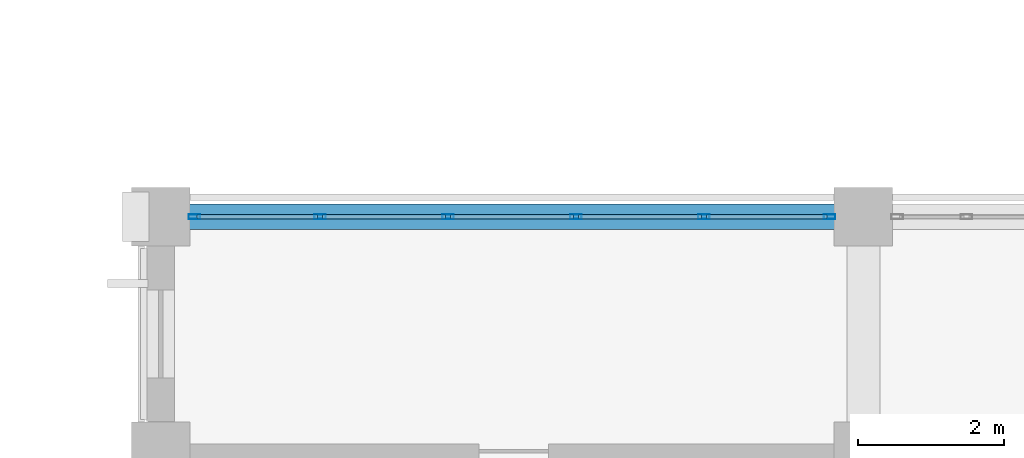
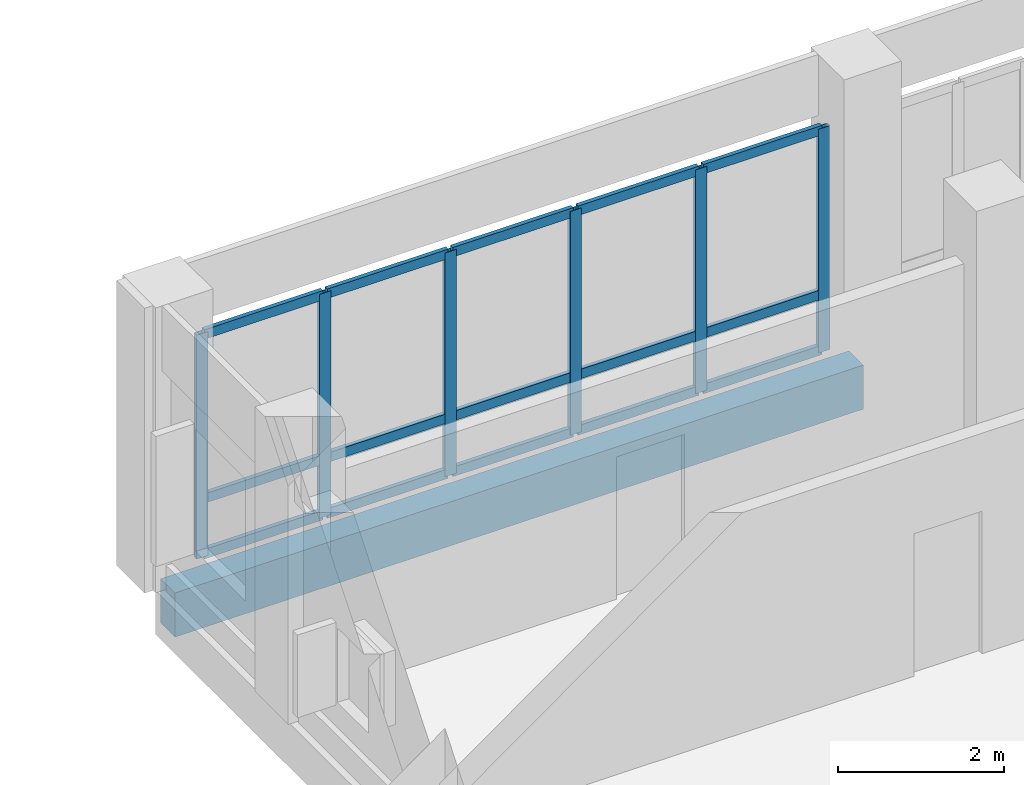
# One storey, part 87 of 170: 21 members, 1 beam, 1 element without a shape of its own.
"""IFC4 building model written with IfcOpenShell, lengths in metres."""

from ifc_helpers import new_model, si_unit, direction, frame, origin, origin_2d, place, context, subcontext, project, spatial, rectangle, hollow_rectangle, extrude, material, material_profile, profile_set, type_object, element, aggregate, save


model = new_model("IFC4")

# Units and contexts
model_context = context("Model", 3, precision=1e-05, world=origin(), true_north=direction((0.0, 1.0)))
body_context = subcontext(model_context, "Body", "Model", "MODEL_VIEW")
ifc_project = project(units=[si_unit("LENGTHUNIT", "METRE"), si_unit("AREAUNIT", "SQUARE_METRE"), si_unit("VOLUMEUNIT", "CUBIC_METRE"), si_unit("PLANEANGLEUNIT", "RADIAN"), si_unit("MASSUNIT", "GRAM", prefix="KILO")], contexts=[model_context])

# Site, building, storey
site_placement = place(None, origin())
site = spatial("IfcSite", under=ifc_project, at=site_placement, CompositionType="ELEMENT")
building_placement = place(site_placement, origin())
building = spatial("IfcBuilding", under=site, at=building_placement, Name="Vondelvale Polytechnic", CompositionType="ELEMENT")
storey_placement = place(building_placement, frame((0.0, 0.0, 5.39990234375)))
storey = spatial("IfcBuildingStorey", under=building, at=storey_placement, Name="L01", CompositionType="ELEMENT", Elevation=5.39990234375)

# Curtain wall, members
ifc_material_1 = material(Name="Anodised extruded aluminium 6063-T6", Category="aluminium")
curtain_wall_type = type_object("IfcCurtainWallType", Name="CW-STUDIO-NORTH", PredefinedType="NOTDEFINED", material=ifc_material_1)
curtain_wall_placement = place(storey_placement, origin())
curtain_wall = element("IfcCurtainWall", 1, at=curtain_wall_placement, inside=storey, type_object=curtain_wall_type, Name="L01 architectural curtain wall CW-01-058", PredefinedType="NOTDEFINED")
ifc_material_profile_1 = material_profile(ifc_material_1, hollow_rectangle(XDim=0.06494140625, YDim=0.159912109375, WallThickness=0.0048828125, at=origin_2d()), Name="CW-MUL-160x65")
ifc_profile_set_1 = profile_set([ifc_material_profile_1], Name="Anodised extruded aluminium 6063-T6")
member_type_1 = type_object("IfcMemberType", Name="CW-MUL-65x160", PredefinedType="MULLION", material=ifc_profile_set_1)
member_1_placement = place(storey_placement, frame((134.862548828125, 30.60009765625, 0.0), z_axis=(0.0, 0.0, 1.0), x_axis=(0.0, 1.0, 0.0)))
member_1 = element("IfcMember", 2, at=member_1_placement, type_object=member_type_1, Name="CW-01-058 mullion 1", PredefinedType="MULLION", context=body_context, shape_type="SweptSolid", body=[
    extrude(hollow_rectangle(XDim=0.06494140625, YDim=0.159912109375, WallThickness=0.0048828125, at=origin_2d()), origin(), (0.0, 0.0, 1.0), 3.300048828125),
])
member_2_placement = place(storey_placement, frame((136.577880859375, 30.60009765625, 0.0), z_axis=(0.0, 0.0, 1.0), x_axis=(0.0, 1.0, 0.0)))
member_2 = element("IfcMember", 3, at=member_2_placement, type_object=member_type_1, Name="CW-01-058 mullion 2", PredefinedType="MULLION", context=body_context, shape_type="SweptSolid", body=[
    extrude(hollow_rectangle(XDim=0.06494140625, YDim=0.159912109375, WallThickness=0.0048828125, at=origin_2d()), origin(), (0.0, 0.0, 1.0), 3.300048828125),
])
member_3_placement = place(storey_placement, frame((138.325927734375, 30.60009765625, 0.0), z_axis=(0.0, 0.0, 1.0), x_axis=(0.0, 1.0, 0.0)))
member_3 = element("IfcMember", 4, at=member_3_placement, type_object=member_type_1, Name="CW-01-058 mullion 3", PredefinedType="MULLION", context=body_context, shape_type="SweptSolid", body=[
    extrude(hollow_rectangle(XDim=0.06494140625, YDim=0.159912109375, WallThickness=0.0048828125, at=origin_2d()), origin(), (0.0, 0.0, 1.0), 3.300048828125),
])
member_4_placement = place(storey_placement, frame((140.073974609375, 30.60009765625, 0.0), z_axis=(0.0, 0.0, 1.0), x_axis=(0.0, 1.0, 0.0)))
member_4 = element("IfcMember", 5, at=member_4_placement, type_object=member_type_1, Name="CW-01-058 mullion 4", PredefinedType="MULLION", context=body_context, shape_type="SweptSolid", body=[
    extrude(hollow_rectangle(XDim=0.06494140625, YDim=0.159912109375, WallThickness=0.0048828125, at=origin_2d()), origin(), (0.0, 0.0, 1.0), 3.300048828125),
])
member_5_placement = place(storey_placement, frame((141.822021484375, 30.60009765625, 0.0), z_axis=(0.0, 0.0, 1.0), x_axis=(0.0, 1.0, 0.0)))
member_5 = element("IfcMember", 6, at=member_5_placement, type_object=member_type_1, Name="CW-01-058 mullion 5", PredefinedType="MULLION", context=body_context, shape_type="SweptSolid", body=[
    extrude(hollow_rectangle(XDim=0.06494140625, YDim=0.159912109375, WallThickness=0.0048828125, at=origin_2d()), origin(), (0.0, 0.0, 1.0), 3.300048828125),
])
member_6_placement = place(storey_placement, frame((143.53759765625, 30.60009765625, 0.0), z_axis=(0.0, 0.0, 1.0), x_axis=(0.0, 1.0, 0.0)))
member_6 = element("IfcMember", 7, at=member_6_placement, type_object=member_type_1, Name="CW-01-058 mullion 6", PredefinedType="MULLION", context=body_context, shape_type="SweptSolid", body=[
    extrude(hollow_rectangle(XDim=0.06494140625, YDim=0.159912109375, WallThickness=0.0048828125, at=origin_2d()), origin(), (0.0, 0.0, 1.0), 3.300048828125),
])
ifc_material_profile_2 = material_profile(ifc_material_1, hollow_rectangle(XDim=0.06005859375, YDim=0.139892578125, WallThickness=0.00341796875, at=origin_2d()), Name="CW-TRN-140x60")
ifc_profile_set_2 = profile_set([ifc_material_profile_2], Name="Anodised extruded aluminium 6063-T6")
member_type_2 = type_object("IfcMemberType", Name="CW-TRN-60x140", PredefinedType="USERDEFINED", material=ifc_profile_set_2)
member_7_placement = place(storey_placement, frame((134.89501953125, 30.60009765625, 0.030029296875), z_axis=(1.0, 0.0, 0.0), x_axis=(0.0, 1.0, 0.0)))
member_7 = element("IfcMember", 8, at=member_7_placement, type_object=member_type_2, Name="CW-01-058 transom 1.1", ObjectType="TRANSOM", PredefinedType="USERDEFINED", context=body_context, shape_type="SweptSolid", body=[
    extrude(hollow_rectangle(XDim=0.06005859375, YDim=0.139892578125, WallThickness=0.00341796875, at=origin_2d()), origin(), (0.0, 0.0, 1.0), 1.650390625),
])
member_8_placement = place(storey_placement, frame((134.89501953125, 30.60009765625, 0.85009765625), z_axis=(1.0, 0.0, 0.0), x_axis=(0.0, 1.0, 0.0)))
member_8 = element("IfcMember", 9, at=member_8_placement, type_object=member_type_2, Name="CW-01-058 transom 1.2", ObjectType="TRANSOM", PredefinedType="USERDEFINED", context=body_context, shape_type="SweptSolid", body=[
    extrude(hollow_rectangle(XDim=0.06005859375, YDim=0.139892578125, WallThickness=0.00341796875, at=origin_2d()), origin(), (0.0, 0.0, 1.0), 1.650390625),
])
member_9_placement = place(storey_placement, frame((134.89501953125, 30.60009765625, 3.27001953125), z_axis=(1.0, 0.0, 0.0), x_axis=(0.0, 1.0, 0.0)))
member_9 = element("IfcMember", 10, at=member_9_placement, type_object=member_type_2, Name="CW-01-058 transom 1.3", ObjectType="TRANSOM", PredefinedType="USERDEFINED", context=body_context, shape_type="SweptSolid", body=[
    extrude(hollow_rectangle(XDim=0.06005859375, YDim=0.139892578125, WallThickness=0.00341796875, at=origin_2d()), origin(), (0.0, 0.0, 1.0), 1.650390625),
])
member_10_placement = place(storey_placement, frame((136.610595703125, 30.60009765625, 0.030029296875), z_axis=(1.0, 0.0, 0.0), x_axis=(0.0, 1.0, 0.0)))
member_10 = element("IfcMember", 11, at=member_10_placement, type_object=member_type_2, Name="CW-01-058 transom 2.1", ObjectType="TRANSOM", PredefinedType="USERDEFINED", context=body_context, shape_type="SweptSolid", body=[
    extrude(hollow_rectangle(XDim=0.06005859375, YDim=0.139892578125, WallThickness=0.00341796875, at=origin_2d()), origin(), (0.0, 0.0, 1.0), 1.682861328125),
])
member_11_placement = place(storey_placement, frame((136.610595703125, 30.60009765625, 0.85009765625), z_axis=(1.0, 0.0, 0.0), x_axis=(0.0, 1.0, 0.0)))
member_11 = element("IfcMember", 12, at=member_11_placement, type_object=member_type_2, Name="CW-01-058 transom 2.2", ObjectType="TRANSOM", PredefinedType="USERDEFINED", context=body_context, shape_type="SweptSolid", body=[
    extrude(hollow_rectangle(XDim=0.06005859375, YDim=0.139892578125, WallThickness=0.00341796875, at=origin_2d()), origin(), (0.0, 0.0, 1.0), 1.682861328125),
])
member_12_placement = place(storey_placement, frame((136.610595703125, 30.60009765625, 3.27001953125), z_axis=(1.0, 0.0, 0.0), x_axis=(0.0, 1.0, 0.0)))
member_12 = element("IfcMember", 13, at=member_12_placement, type_object=member_type_2, Name="CW-01-058 transom 2.3", ObjectType="TRANSOM", PredefinedType="USERDEFINED", context=body_context, shape_type="SweptSolid", body=[
    extrude(hollow_rectangle(XDim=0.06005859375, YDim=0.139892578125, WallThickness=0.00341796875, at=origin_2d()), origin(), (0.0, 0.0, 1.0), 1.682861328125),
])
member_13_placement = place(storey_placement, frame((138.3583984375, 30.60009765625, 0.030029296875), z_axis=(1.0, 0.0, 0.0), x_axis=(0.0, 1.0, 0.0)))
member_13 = element("IfcMember", 14, at=member_13_placement, type_object=member_type_2, Name="CW-01-058 transom 3.1", ObjectType="TRANSOM", PredefinedType="USERDEFINED", context=body_context, shape_type="SweptSolid", body=[
    extrude(hollow_rectangle(XDim=0.06005859375, YDim=0.139892578125, WallThickness=0.00341796875, at=origin_2d()), origin(), (0.0, 0.0, 1.0), 1.68310546875),
])
member_14_placement = place(storey_placement, frame((138.3583984375, 30.60009765625, 0.85009765625), z_axis=(1.0, 0.0, 0.0), x_axis=(0.0, 1.0, 0.0)))
member_14 = element("IfcMember", 15, at=member_14_placement, type_object=member_type_2, Name="CW-01-058 transom 3.2", ObjectType="TRANSOM", PredefinedType="USERDEFINED", context=body_context, shape_type="SweptSolid", body=[
    extrude(hollow_rectangle(XDim=0.06005859375, YDim=0.139892578125, WallThickness=0.00341796875, at=origin_2d()), origin(), (0.0, 0.0, 1.0), 1.68310546875),
])
member_15_placement = place(storey_placement, frame((138.3583984375, 30.60009765625, 3.27001953125), z_axis=(1.0, 0.0, 0.0), x_axis=(0.0, 1.0, 0.0)))
member_15 = element("IfcMember", 16, at=member_15_placement, type_object=member_type_2, Name="CW-01-058 transom 3.3", ObjectType="TRANSOM", PredefinedType="USERDEFINED", context=body_context, shape_type="SweptSolid", body=[
    extrude(hollow_rectangle(XDim=0.06005859375, YDim=0.139892578125, WallThickness=0.00341796875, at=origin_2d()), origin(), (0.0, 0.0, 1.0), 1.68310546875),
])
member_16_placement = place(storey_placement, frame((140.1064453125, 30.60009765625, 0.030029296875), z_axis=(1.0, 0.0, 0.0), x_axis=(0.0, 1.0, 0.0)))
member_16 = element("IfcMember", 17, at=member_16_placement, type_object=member_type_2, Name="CW-01-058 transom 4.1", ObjectType="TRANSOM", PredefinedType="USERDEFINED", context=body_context, shape_type="SweptSolid", body=[
    extrude(hollow_rectangle(XDim=0.06005859375, YDim=0.139892578125, WallThickness=0.00341796875, at=origin_2d()), origin(), (0.0, 0.0, 1.0), 1.68310546875),
])
member_17_placement = place(storey_placement, frame((140.1064453125, 30.60009765625, 0.85009765625), z_axis=(1.0, 0.0, 0.0), x_axis=(0.0, 1.0, 0.0)))
member_17 = element("IfcMember", 18, at=member_17_placement, type_object=member_type_2, Name="CW-01-058 transom 4.2", ObjectType="TRANSOM", PredefinedType="USERDEFINED", context=body_context, shape_type="SweptSolid", body=[
    extrude(hollow_rectangle(XDim=0.06005859375, YDim=0.139892578125, WallThickness=0.00341796875, at=origin_2d()), origin(), (0.0, 0.0, 1.0), 1.68310546875),
])
member_18_placement = place(storey_placement, frame((140.1064453125, 30.60009765625, 3.27001953125), z_axis=(1.0, 0.0, 0.0), x_axis=(0.0, 1.0, 0.0)))
member_18 = element("IfcMember", 19, at=member_18_placement, type_object=member_type_2, Name="CW-01-058 transom 4.3", ObjectType="TRANSOM", PredefinedType="USERDEFINED", context=body_context, shape_type="SweptSolid", body=[
    extrude(hollow_rectangle(XDim=0.06005859375, YDim=0.139892578125, WallThickness=0.00341796875, at=origin_2d()), origin(), (0.0, 0.0, 1.0), 1.68310546875),
])
member_19_placement = place(storey_placement, frame((141.8544921875, 30.60009765625, 0.030029296875), z_axis=(1.0, 0.0, 0.0), x_axis=(0.0, 1.0, 0.0)))
member_19 = element("IfcMember", 20, at=member_19_placement, type_object=member_type_2, Name="CW-01-058 transom 5.1", ObjectType="TRANSOM", PredefinedType="USERDEFINED", context=body_context, shape_type="SweptSolid", body=[
    extrude(hollow_rectangle(XDim=0.06005859375, YDim=0.139892578125, WallThickness=0.00341796875, at=origin_2d()), origin(), (0.0, 0.0, 1.0), 1.650390625),
])
member_20_placement = place(storey_placement, frame((141.8544921875, 30.60009765625, 0.85009765625), z_axis=(1.0, 0.0, 0.0), x_axis=(0.0, 1.0, 0.0)))
member_20 = element("IfcMember", 21, at=member_20_placement, type_object=member_type_2, Name="CW-01-058 transom 5.2", ObjectType="TRANSOM", PredefinedType="USERDEFINED", context=body_context, shape_type="SweptSolid", body=[
    extrude(hollow_rectangle(XDim=0.06005859375, YDim=0.139892578125, WallThickness=0.00341796875, at=origin_2d()), origin(), (0.0, 0.0, 1.0), 1.650390625),
])
member_21_placement = place(storey_placement, frame((141.8544921875, 30.60009765625, 3.27001953125), z_axis=(1.0, 0.0, 0.0), x_axis=(0.0, 1.0, 0.0)))
member_21 = element("IfcMember", 22, at=member_21_placement, type_object=member_type_2, Name="CW-01-058 transom 5.3", ObjectType="TRANSOM", PredefinedType="USERDEFINED", context=body_context, shape_type="SweptSolid", body=[
    extrude(hollow_rectangle(XDim=0.06005859375, YDim=0.139892578125, WallThickness=0.00341796875, at=origin_2d()), origin(), (0.0, 0.0, 1.0), 1.650390625),
])
aggregate(curtain_wall, [member_1, member_2, member_3, member_4, member_5, member_6, member_7, member_8, member_9, member_10, member_11, member_12, member_13, member_14, member_15, member_16, member_17, member_18, member_19, member_20, member_21])

# Beam
ifc_material_2 = material(Name="Precast concrete N40 (f'c = 40 MPa)", Category="concrete")
ifc_material_profile_3 = material_profile(ifc_material_2, rectangle(XDim=0.35009765625, YDim=0.64990234375, at=origin_2d()), Name="RC-SPN-350x650")
ifc_profile_set_3 = profile_set([ifc_material_profile_3], Name="Precast concrete N40 (f'c = 40 MPa)")
beam_type = type_object("IfcBeamType", Name="SPN-PRE350x650", PredefinedType="SPANDREL", material=ifc_profile_set_3)
beam_placement = place(storey_placement, frame((134.39990234375, 30.60009765625, -0.60498046875), z_axis=(1.0, 0.0, 0.0), x_axis=(0.0, 1.0, 0.0)))
element("IfcBeam", 23, at=beam_placement, inside=storey, type_object=beam_type, Name="L01 B SP-02", PredefinedType="SPANDREL", context=body_context, shape_type="SweptSolid", body=[
    extrude(rectangle(XDim=0.35009765625, YDim=0.64990234375, at=origin_2d()), origin(), (0.0, 0.0, 1.0), 9.60009765625),
])

save(model, "model.ifc")
